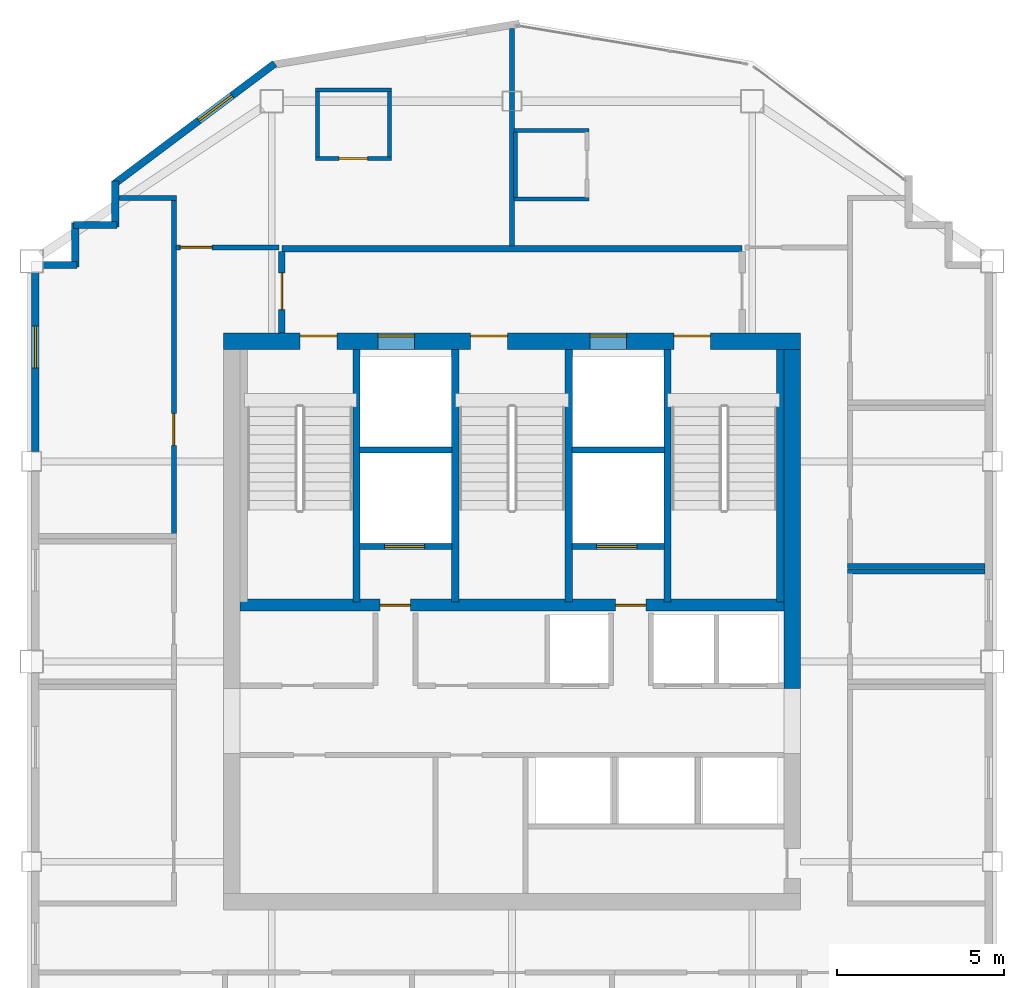
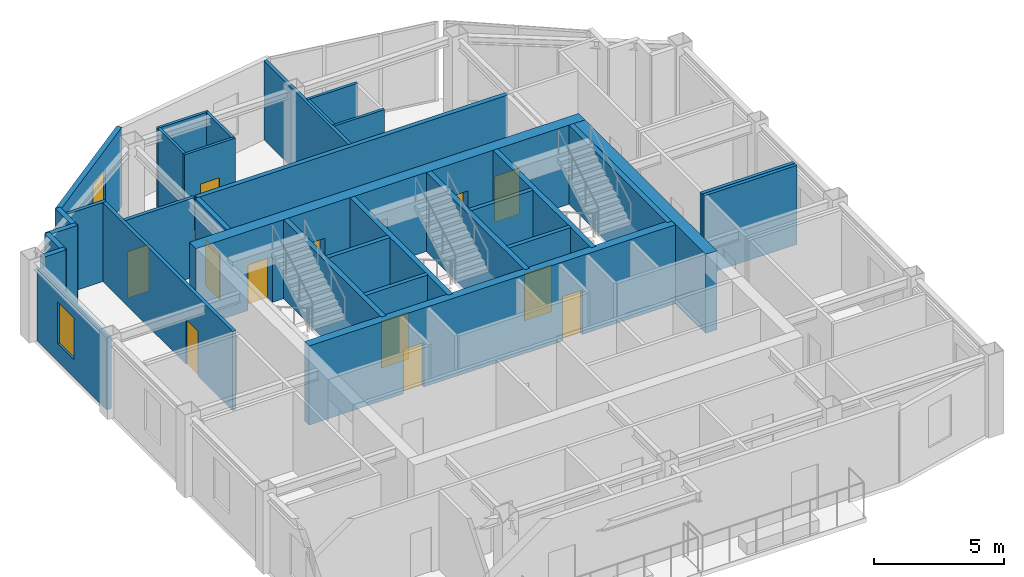
# One storey, part 6 of 8: 33 walls, 13 doors, 2 windows, 15 openings.
"""IFC4 building model written with IfcOpenShell, lengths in metres."""

import ifcopenshell
import ifcopenshell.guid

model = None  # the IFC model being written
_history = None  # IfcOwnerHistory: only IFC2X3 demands one
_inside = {}  # id of a spatial element -> (the spatial element, [elements in it])
_under = {}  # id of a project, library or spatial element -> (it, [spatial elements below it])
_declared = {}  # id of a project -> (the project, [libraries it declares])
_typed = {}  # id of a type object -> (the type object, [elements of that type])
_made_of = {}  # id of a material, layer set ... -> (it, [elements and type objects made of it])


def new_model(schema):
    """Start an empty IFC model of exactly this schema.

    Asked for "IFC4X3", IfcOpenShell would pick the latest addendum, in which some entities
    have other attributes; the version numbers below select the first issue.
    IFC2X3 requires an IfcOwnerHistory on every rooted entity: one is made here for all.
    """
    global model, _history
    if schema == "IFC4X3":
        model = ifcopenshell.file(schema_version=(4, 3, 0, 0))
    else:
        model = ifcopenshell.file(schema=schema)
    _inside.clear()
    _under.clear()
    _declared.clear()
    _typed.clear()
    _made_of.clear()
    _history = None
    if model.schema == "IFC2X3":
        org = make("IfcOrganization", Name="unknown")
        user = make(
            "IfcPersonAndOrganization",
            ThePerson=make("IfcPerson", FamilyName="unknown"),
            TheOrganization=org,
        )
        app = make(
            "IfcApplication",
            ApplicationDeveloper=org,
            Version="unknown",
            ApplicationFullName="unknown",
            ApplicationIdentifier="unknown",
        )
        _history = make(
            "IfcOwnerHistory",
            OwningUser=user,
            OwningApplication=app,
            ChangeAction="ADDED",
            CreationDate=0,
        )
    return model


def make(cls, **values):
    """One entity of the class cls with the attributes given. An attribute that is None is left unset."""
    return model.create_entity(
        cls, **{name: value for name, value in values.items() if value is not None}
    )


def rooted(cls, **values):
    """An entity with a GlobalId (a new one), such as an element, a storey or a relation."""
    return make(cls, GlobalId=ifcopenshell.guid.new(), OwnerHistory=_history, **values)


def si_unit(unit_type, name, prefix=None):
    """IfcSIUnit, for example si_unit("LENGTHUNIT", "METRE", prefix="MILLI")."""
    return make("IfcSIUnit", UnitType=unit_type, Prefix=prefix, Name=name)


def assignment(units):
    """IfcUnitAssignment: the units of a project."""
    return None if units is None else make("IfcUnitAssignment", Units=units)


def point(xyz):
    """IfcCartesianPoint."""
    return None if xyz is None else make("IfcCartesianPoint", Coordinates=xyz)


def direction(xyz):
    """IfcDirection."""
    return None if xyz is None else make("IfcDirection", DirectionRatios=xyz)


def frame(location, z_axis=None, x_axis=None):
    """IfcAxis2Placement3D, a coordinate frame: its origin and axes. An axis left out is left unset."""
    return make(
        "IfcAxis2Placement3D",
        Location=point(location),
        Axis=direction(z_axis),
        RefDirection=direction(x_axis),
    )


def frame_2d(location, x_axis=None):
    """IfcAxis2Placement2D, a coordinate frame in the plane: its origin and x axis."""
    return make(
        "IfcAxis2Placement2D", Location=point(location), RefDirection=direction(x_axis)
    )


def origin():
    """The frame at (0, 0, 0) with its axes left unset."""
    return frame((0.0, 0.0, 0.0))


def place(relative_to, where):
    """IfcLocalPlacement: puts the frame where relative to a parent placement (None: the world)."""
    return make(
        "IfcLocalPlacement", PlacementRelTo=relative_to, RelativePlacement=where
    )


def context(
    kind, dimensions, precision=None, world=None, true_north=None, identifier=None
):
    """IfcGeometricRepresentationContext, for example the 3D "Model" context."""
    return make(
        "IfcGeometricRepresentationContext",
        ContextIdentifier=identifier,
        ContextType=kind,
        CoordinateSpaceDimension=dimensions,
        Precision=precision,
        WorldCoordinateSystem=world,
        TrueNorth=true_north,
    )


def subcontext(parent, identifier, kind, view, scale=None):
    """IfcGeometricRepresentationSubContext, for example "Body" below "Model"."""
    return make(
        "IfcGeometricRepresentationSubContext",
        ContextIdentifier=identifier,
        ContextType=kind,
        ParentContext=parent,
        TargetScale=scale,
        TargetView=view,
    )


def project(units=None, contexts=None):
    """IfcProject with its units and contexts."""
    return rooted(
        "IfcProject",
        Name="project",
        RepresentationContexts=contexts,
        UnitsInContext=assignment(units),
    )


def spatial(cls, under=None, at=None, **own):
    """A site, building, storey or space (cls), placed at a placement, below another one or the project."""
    s = rooted(cls, ObjectPlacement=at, **own)
    if under is not None:
        _under.setdefault(under.id(), (under, []))[1].append(s)
    return s


def profile(cls, at=None, kind="AREA", **sizes):
    """A parametric profile (cls). Its sizes go by their IFC names, for example OverallWidth=200.0."""
    return make(cls, ProfileType=kind, Position=at, **sizes)


def rectangle(**sizes):
    """IfcRectangleProfileDef."""
    return profile("IfcRectangleProfileDef", **sizes)


def extrude(swept, where, along, depth):
    """IfcExtrudedAreaSolid: the profile swept, set in the frame where, extruded along a direction by depth."""
    return make(
        "IfcExtrudedAreaSolid",
        SweptArea=swept,
        Position=where,
        ExtrudedDirection=direction(along),
        Depth=depth,
    )


def shape(context_of_items, identifier, shape_type, items):
    """IfcShapeRepresentation: the items that make up one representation, for example the "Body"."""
    return make(
        "IfcShapeRepresentation",
        ContextOfItems=context_of_items,
        RepresentationIdentifier=identifier,
        RepresentationType=shape_type,
        Items=items,
    )


def material(Name=None, Category=None):
    """IfcMaterial."""
    return make("IfcMaterial", Name=Name, Category=Category)


def layer(
    of_material, thickness, ventilated=None, Name=None, Category=None, Priority=None
):
    """IfcMaterialLayer: one layer of a wall or slab, of a material (None: an air gap)."""
    return make(
        "IfcMaterialLayer",
        Material=of_material,
        LayerThickness=thickness,
        IsVentilated=ventilated,
        Name=Name,
        Category=Category,
        Priority=Priority,
    )


def layer_set(layers, Name=None):
    """IfcMaterialLayerSet."""
    return make("IfcMaterialLayerSet", MaterialLayers=layers, LayerSetName=Name)


def made_of(thing, what):
    """Note that an element or type object is made of a material, layer set ...; save() writes the relation."""
    if what is not None:
        _made_of.setdefault(what.id(), (what, []))[1].append(thing)
    return thing


def type_object(cls, material=None, **own):
    """A type object (cls), such as IfcWallType, which elements share."""
    return made_of(rooted(cls, **own), material)


def element(
    cls,
    number,
    at=None,
    inside=None,
    cuts=None,
    type_object=None,
    material=None,
    context=None,
    identifier="Body",
    shape_type=None,
    held_by="IfcProductDefinitionShape",
    body=None,
    shapes=None,
    **own,
):
    """One element of the class cls, such as IfcWall. Its Tag is "e" and its number.

    at: its placement. inside: the storey or other place that contains it. cuts: it is an
    opening in that element (IfcRelVoidsElement). A single representation is given by context,
    identifier, shape_type and body (its items); several are given by shapes. held_by: the class
    of the entity that holds the representations. save() writes the other relations.
    """
    e = rooted(cls, Tag="e%d" % number, ObjectPlacement=at, **own)
    if body is not None:
        shapes = [shape(context, identifier, shape_type, body)]
    if shapes is not None:
        e.Representation = make(held_by, Representations=shapes)
    if inside is not None:
        _inside.setdefault(inside.id(), (inside, []))[1].append(e)
    if cuts is not None:
        rooted(
            "IfcRelVoidsElement", RelatingBuildingElement=cuts, RelatedOpeningElement=e
        )
    if type_object is not None:
        _typed.setdefault(type_object.id(), (type_object, []))[1].append(e)
    return made_of(e, material)


def fill(opening, filler):
    """IfcRelFillsElement: the door or window that sits in an opening."""
    return rooted(
        "IfcRelFillsElement",
        RelatingOpeningElement=opening,
        RelatedBuildingElement=filler,
    )


def aggregate(whole, parts):
    """IfcRelAggregates: a whole, such as a stair, and the parts it consists of."""
    return rooted("IfcRelAggregates", RelatingObject=whole, RelatedObjects=parts)


def save(model, path):
    """Write the relations noted so far, then the file.

    IfcRelAggregates (storeys below a building ...), IfcRelContainedInSpatialStructure (elements
    in a storey), IfcRelDefinesByType, IfcRelAssociatesMaterial and IfcRelDeclares: one each for
    every whole, place, type object, material and project.
    """
    for whole, parts in _under.values():
        aggregate(whole, parts)
    for where, things in _inside.values():
        rooted(
            "IfcRelContainedInSpatialStructure",
            RelatedElements=things,
            RelatingStructure=where,
        )
    for kind, things in _typed.values():
        rooted("IfcRelDefinesByType", RelatedObjects=things, RelatingType=kind)
    for what, things in _made_of.values():
        rooted("IfcRelAssociatesMaterial", RelatedObjects=things, RelatingMaterial=what)
    for by, libraries in _declared.values():
        rooted("IfcRelDeclares", RelatingContext=by, RelatedDefinitions=libraries)
    model.write(path)


model = new_model("IFC4")

# Units and contexts
model_context = context("Model", 3, precision=1e-05, world=origin(), true_north=direction((0.0, 1.0)))
body_context = subcontext(model_context, "Body", "Model", "MODEL_VIEW")
ifc_project = project(units=[si_unit("LENGTHUNIT", "METRE"), si_unit("AREAUNIT", "SQUARE_METRE"), si_unit("VOLUMEUNIT", "CUBIC_METRE"), si_unit("PLANEANGLEUNIT", "RADIAN"), si_unit("MASSUNIT", "GRAM", prefix="KILO")], contexts=[model_context])

# Site, building, storey
site_placement = place(None, origin())
site = spatial("IfcSite", under=ifc_project, at=site_placement, CompositionType="ELEMENT")
building_placement = place(site_placement, origin())
building = spatial("IfcBuilding", under=site, at=building_placement, Name="Haolan Belvedere Tower", CompositionType="ELEMENT")
storey_placement = place(building_placement, frame((0.0, 0.0, 297.800048828125)))
storey = spatial("IfcBuildingStorey", under=building, at=storey_placement, Name="L75", CompositionType="ELEMENT", Elevation=297.800048828125)

# Wall, openings, doors
ifc_material_1 = material(Name="Concrete C50/60", Category="concrete")
ifc_layer_1 = layer(ifc_material_1, 0.5, Name="Concrete C50/60")
ifc_layer_set_1 = layer_set([ifc_layer_1], Name="Concrete C50/60")
wall_type_1 = type_object("IfcWallType", Name="WL-CORE-500", PredefinedType="SHEAR", material=ifc_layer_set_1)
wall_1_placement = place(storey_placement, frame((29.75, 43.199951171875, 0.0), z_axis=(0.0, 0.0, 1.0), x_axis=(1.0, 0.0, 0.0)))
wall_1 = element("IfcWall", 1, at=wall_1_placement, inside=storey, type_object=wall_type_1, Name="L75 central core north shear wall", PredefinedType="SHEAR", context=body_context, shape_type="SweptSolid", body=[
    extrude(rectangle(XDim=17.300048828125, YDim=0.5, at=frame_2d((8.64990234375, 0.0))), origin(), (0.0, 0.0, 1.0), 3.719970703125),
])
opening_1_placement = place(wall_1_placement, frame((2.300048828125, 0.0, 0.0)))
opening_1 = element("IfcOpeningElement", 2, at=opening_1_placement, cuts=wall_1, Name="Opening FD-03", PredefinedType="OPENING", context=body_context, shape_type="SweptSolid", body=[
    extrude(rectangle(XDim=1.10009765625, YDim=2.14990234375, at=frame_2d((0.550048828125, 1.074951171875))), frame((0.0, 0.260009765625, 0.0), z_axis=(0.0, -1.0, 0.0), x_axis=(1.0, 0.0, 0.0)), (0.0, 0.0, 1.0), 0.52001953125),
])
opening_2_placement = place(wall_1_placement, frame((7.409912109375, 0.0, 0.0)))
opening_2 = element("IfcOpeningElement", 3, at=opening_2_placement, cuts=wall_1, Name="Opening FD-03", PredefinedType="OPENING", context=body_context, shape_type="SweptSolid", body=[
    extrude(rectangle(XDim=1.10009765625, YDim=2.14990234375, at=frame_2d((0.550048828125, 1.074951171875))), frame((0.0, 0.260009765625, 0.0), z_axis=(0.0, -1.0, 0.0), x_axis=(1.0, 0.0, 0.0)), (0.0, 0.0, 1.0), 0.52001953125),
])
opening_3_placement = place(wall_1_placement, frame((13.5, 0.0, 0.0)))
opening_3 = element("IfcOpeningElement", 4, at=opening_3_placement, cuts=wall_1, Name="Opening FD-03", PredefinedType="OPENING", context=body_context, shape_type="SweptSolid", body=[
    extrude(rectangle(XDim=1.10009765625, YDim=2.14990234375, at=frame_2d((0.550048828125, 1.074951171875))), frame((0.0, 0.260009765625, 0.0), z_axis=(0.0, -1.0, 0.0), x_axis=(1.0, 0.0, 0.0)), (0.0, 0.0, 1.0), 0.52001953125),
])
opening_4_placement = place(wall_1_placement, frame((4.6298828125, 0.0, 0.0)))
opening_4 = element("IfcOpeningElement", 5, at=opening_4_placement, cuts=wall_1, Name="Opening LD-01", PredefinedType="OPENING", context=body_context, shape_type="SweptSolid", body=[
    extrude(rectangle(XDim=1.10009765625, YDim=2.199951171875, at=frame_2d((0.550048828125, 1.10009765625))), frame((0.0, 0.260009765625, 0.0), z_axis=(0.0, -1.0, 0.0), x_axis=(1.0, 0.0, 0.0)), (0.0, 0.0, 1.0), 0.52001953125),
])
opening_5_placement = place(wall_1_placement, frame((10.989990234375, 0.0, 0.0)))
opening_5 = element("IfcOpeningElement", 6, at=opening_5_placement, cuts=wall_1, Name="Opening LD-01", PredefinedType="OPENING", context=body_context, shape_type="SweptSolid", body=[
    extrude(rectangle(XDim=1.10009765625, YDim=2.199951171875, at=frame_2d((0.550048828125, 1.10009765625))), frame((0.0, 0.260009765625, 0.0), z_axis=(0.0, -1.0, 0.0), x_axis=(1.0, 0.0, 0.0)), (0.0, 0.0, 1.0), 0.52001953125),
])
ifc_material_2 = material(Name="Galvanised fire-rated steel", Category="steel")
door_type_1 = type_object("IfcDoorType", Name="DR-FD90-1100", OperationType="NOTDEFINED", PredefinedType="DOOR", material=ifc_material_2)
door_1_placement = place(opening_1_placement, origin())
door_1 = element("IfcDoor", 7, at=door_1_placement, inside=storey, type_object=door_type_1, Name="L75 door CD-L75-ST1", OperationType="SINGLE_SWING_LEFT", OverallHeight=2.14990234375, OverallWidth=1.10009765625, PredefinedType="DOOR", context=body_context, shape_type="SweptSolid", body=[
    extrude(rectangle(XDim=1.10009765625, YDim=2.14990234375, at=frame_2d((0.550048828125, 1.074951171875))), frame((0.0, 0.18505859375, 0.0), z_axis=(0.0, -1.0, 0.0), x_axis=(1.0, 0.0, 0.0)), (0.0, 0.0, 1.0), 0.050048828125),
])
fill(opening_1, door_1)
door_2_placement = place(opening_2_placement, origin())
door_2 = element("IfcDoor", 8, at=door_2_placement, inside=storey, type_object=door_type_1, Name="L75 door CD-L75-ST3", OperationType="SINGLE_SWING_LEFT", OverallHeight=2.14990234375, OverallWidth=1.10009765625, PredefinedType="DOOR", context=body_context, shape_type="SweptSolid", body=[
    extrude(rectangle(XDim=1.10009765625, YDim=2.14990234375, at=frame_2d((0.550048828125, 1.074951171875))), frame((0.0, 0.18505859375, 0.0), z_axis=(0.0, -1.0, 0.0), x_axis=(1.0, 0.0, 0.0)), (0.0, 0.0, 1.0), 0.050048828125),
])
fill(opening_2, door_2)
door_3_placement = place(opening_3_placement, origin())
door_3 = element("IfcDoor", 9, at=door_3_placement, inside=storey, type_object=door_type_1, Name="L75 door CD-L75-ST2", OperationType="SINGLE_SWING_RIGHT", OverallHeight=2.14990234375, OverallWidth=1.10009765625, PredefinedType="DOOR", context=body_context, shape_type="SweptSolid", body=[
    extrude(rectangle(XDim=1.10009765625, YDim=2.14990234375, at=frame_2d((0.550048828125, 1.074951171875))), frame((0.0, 0.18505859375, 0.0), z_axis=(0.0, -1.0, 0.0), x_axis=(1.0, 0.0, 0.0)), (0.0, 0.0, 1.0), 0.050048828125),
])
fill(opening_3, door_3)
ifc_material_3 = material(Name="Brushed champagne stainless steel 316L", Category="steel")
door_type_2 = type_object("IfcDoorType", Name="DR-LIFT-1100", OperationType="SLIDING_TO_LEFT", PredefinedType="DOOR", material=ifc_material_3)
door_4_placement = place(opening_4_placement, origin())
door_4 = element("IfcDoor", 10, at=door_4_placement, inside=storey, type_object=door_type_2, Name="L75 door LD-L75-FF1", OperationType="SLIDING_TO_LEFT", OverallHeight=2.199951171875, OverallWidth=1.10009765625, PredefinedType="DOOR", context=body_context, shape_type="SweptSolid", body=[
    extrude(rectangle(XDim=1.10009765625, YDim=2.199951171875, at=frame_2d((0.550048828125, 1.10009765625))), frame((0.0, 0.18505859375, 0.0), z_axis=(0.0, -1.0, 0.0), x_axis=(1.0, 0.0, 0.0)), (0.0, 0.0, 1.0), 0.050048828125),
])
fill(opening_4, door_4)
door_5_placement = place(opening_5_placement, origin())
door_5 = element("IfcDoor", 11, at=door_5_placement, inside=storey, type_object=door_type_2, Name="L75 door LD-L75-FF2", OperationType="SLIDING_TO_LEFT", OverallHeight=2.199951171875, OverallWidth=1.10009765625, PredefinedType="DOOR", context=body_context, shape_type="SweptSolid", body=[
    extrude(rectangle(XDim=1.10009765625, YDim=2.199951171875, at=frame_2d((0.550048828125, 1.10009765625))), frame((0.0, 0.18505859375, 0.0), z_axis=(0.0, -1.0, 0.0), x_axis=(1.0, 0.0, 0.0)), (0.0, 0.0, 1.0), 0.050048828125),
])
fill(opening_5, door_5)

# Wall
wall_2_placement = place(storey_placement, frame((46.800048828125, 32.800048828125, 0.0), z_axis=(0.0, 0.0, 1.0), x_axis=(0.0, 1.0, 0.0)))
element("IfcWall", 12, at=wall_2_placement, inside=storey, type_object=wall_type_1, Name="L75 central core shear wall EN", PredefinedType="SHEAR", context=body_context, shape_type="SweptSolid", body=[
    extrude(rectangle(XDim=10.14990234375, YDim=0.5, at=frame_2d((5.074951171875, 0.0))), origin(), (0.0, 0.0, 1.0), 3.719970703125),
])

# Wall, opening, window
ifc_material_4 = material(Name="Precast concrete C40/50", Category="concrete")
ifc_layer_2 = layer(ifc_material_4, 0.219970703125, Name="Precast concrete C40/50")
ifc_layer_set_2 = layer_set([ifc_layer_2], Name="Precast concrete C40/50")
wall_type_2 = type_object("IfcWallType", Name="WL-EXT-220", PredefinedType="SOLIDWALL", material=ifc_layer_set_2)
wall_3_placement = place(storey_placement, frame((31.28857421875, 51.52880859375, 0.0), z_axis=(0.0, 0.0, 1.0), x_axis=(-0.800014580093, -0.599980559383, 0.0)))
wall_3 = element("IfcWall", 13, at=wall_3_placement, inside=storey, type_object=wall_type_2, Name="L75 pale-metal exterior spandrel wall 11.1", PredefinedType="SOLIDWALL", context=body_context, shape_type="SweptSolid", body=[
    extrude(rectangle(XDim=6.028076171875, YDim=0.219970703125, at=frame_2d((3.01416015625, 0.0))), origin(), (0.0, 0.0, 1.0), 3.719970703125),
])
opening_6_placement = place(wall_3_placement, frame((1.60009765625, 0.0, 0.85009765625)))
opening_6 = element("IfcOpeningElement", 14, at=opening_6_placement, cuts=wall_3, Name="Opening W-04", PredefinedType="OPENING", context=body_context, shape_type="SweptSolid", body=[
    extrude(rectangle(XDim=1.25, YDim=1.949951171875, at=frame_2d((0.625, 0.97509765625))), frame((0.0, 0.119873046875, 0.0), z_axis=(0.0, -1.0, 0.0), x_axis=(1.0, 0.0, 0.0)), (0.0, 0.0, 1.0), 0.239990234375),
])
ifc_material_5 = material(Name="Anodised aluminium 6063-T6 and Low-E glass", Category="aluminium")
window_type = type_object("IfcWindowType", Name="WN-DECO-Z4", PartitioningType="SINGLE_PANEL", PredefinedType="WINDOW", material=ifc_material_5)
window_1_placement = place(opening_6_placement, origin())
window_1 = element("IfcWindow", 15, at=window_1_placement, inside=storey, type_object=window_type, Name="L75 Art Deco chevron window 1", OverallHeight=1.949951171875, OverallWidth=1.25, PartitioningType="SINGLE_PANEL", PredefinedType="WINDOW", context=body_context, shape_type="SweptSolid", body=[
    extrude(rectangle(XDim=1.25, YDim=1.949951171875, at=frame_2d((0.625, 0.97509765625))), frame((0.0, 0.030029296875, 0.0), z_axis=(0.0, -1.0, 0.0), x_axis=(1.0, 0.0, 0.0)), (0.0, 0.0, 1.0), 0.06005859375),
])
fill(opening_6, window_1)

# Walls
wall_4_placement = place(storey_placement, frame((26.510009765625, 48.0, 0.0), z_axis=(0.0, 0.0, 1.0), x_axis=(0.0, -1.0, 0.0)))
element("IfcWall", 16, at=wall_4_placement, inside=storey, type_object=wall_type_2, Name="L75 pale-metal exterior spandrel wall 12.1", PredefinedType="SOLIDWALL", context=body_context, shape_type="SweptSolid", body=[
    extrude(rectangle(XDim=1.364990234375, YDim=0.219970703125, at=frame_2d((0.6826171875, 0.0))), origin(), (0.0, 0.0, 1.0), 3.719970703125),
])
for number, where, z_axis, x_axis, name in (
    (17, (26.56494140625, 46.68994140625, 0.0), (0.0, 0.0, 1.0), (-1.0, 0.0, 0.0), "L75 pale-metal exterior spandrel wall 13.1"),
    (18, (25.31005859375, 46.7451171875, 0.0), (0.0, 0.0, 1.0), (0.0, -1.0, 0.0), "L75 pale-metal exterior spandrel wall 14.1"),
):
    element("IfcWall", number, at=place(storey_placement, frame(where, z_axis=z_axis, x_axis=x_axis)), inside=storey, type_object=wall_type_2, Name=name, PredefinedType="SOLIDWALL", context=body_context, shape_type="SweptSolid", body=[
        extrude(rectangle(XDim=1.31005859375, YDim=0.219970703125, at=frame_2d((0.655029296875, 0.0))), origin(), (0.0, 0.0, 1.0), 3.719970703125),
    ])
wall_5_placement = place(storey_placement, frame((25.364990234375, 45.489990234375, 0.0), z_axis=(0.0, 0.0, 1.0), x_axis=(-1.0, 0.0, 0.0)))
element("IfcWall", 19, at=wall_5_placement, inside=storey, type_object=wall_type_2, Name="L75 pale-metal exterior spandrel wall 15.1", PredefinedType="SOLIDWALL", context=body_context, shape_type="SweptSolid", body=[
    extrude(rectangle(XDim=1.02294921875, YDim=0.219970703125, at=frame_2d((0.511474609375, 0.0))), origin(), (0.0, 0.0, 1.0), 3.719970703125),
])

# Wall, opening, window
wall_6_placement = place(storey_placement, frame((24.110107421875, 45.258056640625, 0.0), z_axis=(0.0, 0.0, 1.0), x_axis=(0.0, -1.0, 0.0)))
wall_6 = element("IfcWall", 20, at=wall_6_placement, inside=storey, type_object=wall_type_2, Name="L75 pale-metal exterior spandrel wall 16.1", PredefinedType="SOLIDWALL", context=body_context, shape_type="SweptSolid", body=[
    extrude(rectangle(XDim=5.365966796875, YDim=0.219970703125, at=frame_2d((2.68310546875, 0.0))), origin(), (0.0, 0.0, 1.0), 3.364990234375),
])
opening_7_placement = place(wall_6_placement, frame((1.60009765625, 0.0, 0.85009765625)))
opening_7 = element("IfcOpeningElement", 21, at=opening_7_placement, cuts=wall_6, Name="Opening W-04", PredefinedType="OPENING", context=body_context, shape_type="SweptSolid", body=[
    extrude(rectangle(XDim=1.25, YDim=1.949951171875, at=frame_2d((0.625, 0.97509765625))), frame((0.0, 0.119873046875, 0.0), z_axis=(0.0, -1.0, 0.0), x_axis=(1.0, 0.0, 0.0)), (0.0, 0.0, 1.0), 0.239990234375),
])
window_2_placement = place(opening_7_placement, origin())
window_2 = element("IfcWindow", 22, at=window_2_placement, inside=storey, type_object=window_type, Name="L75 Art Deco chevron window 1", OverallHeight=1.949951171875, OverallWidth=1.25, PartitioningType="SINGLE_PANEL", PredefinedType="WINDOW", context=body_context, shape_type="SweptSolid", body=[
    extrude(rectangle(XDim=1.25, YDim=1.949951171875, at=frame_2d((0.625, 0.97509765625))), frame((0.0, 0.030029296875, 0.0), z_axis=(0.0, -1.0, 0.0), x_axis=(1.0, 0.0, 0.0)), (0.0, 0.0, 1.0), 0.06005859375),
])
fill(opening_7, window_2)

# Wall
ifc_material_6 = material(Name="Concrete C40/50", Category="concrete")
ifc_layer_3 = layer(ifc_material_6, 0.199951171875, Name="Concrete C40/50")
ifc_layer_set_3 = layer_set([ifc_layer_3], Name="Concrete C40/50")
wall_type_3 = type_object("IfcWallType", Name="WL-FIRE-200", PredefinedType="SOLIDWALL", material=ifc_layer_set_3)
wall_7_placement = place(storey_placement, frame((31.5, 45.97998046875, 0.0), z_axis=(0.0, 0.0, 1.0), x_axis=(1.0, 0.0, 0.0)))
element("IfcWall", 23, at=wall_7_placement, inside=storey, type_object=wall_type_3, Name="L75 interior partition IW-L75-FFL-N", PredefinedType="SOLIDWALL", context=body_context, shape_type="SweptSolid", body=[
    extrude(rectangle(XDim=13.800048828125, YDim=0.199951171875, at=frame_2d((6.89990234375, 0.0))), origin(), (0.0, 0.0, 1.0), 3.719970703125),
])

# Wall, opening, door
wall_8_placement = place(storey_placement, frame((31.5, 43.449951171875, 0.0), z_axis=(0.0, 0.0, 1.0), x_axis=(0.0, 1.0, 0.0)))
wall_8 = element("IfcWall", 24, at=wall_8_placement, inside=storey, type_object=wall_type_3, Name="L75 interior partition IW-L75-FFL-W", PredefinedType="SOLIDWALL", context=body_context, shape_type="SweptSolid", body=[
    extrude(rectangle(XDim=2.445068359375, YDim=0.199951171875, at=frame_2d((1.22265625, 0.0))), origin(), (0.0, 0.0, 1.0), 3.719970703125),
])
opening_8_placement = place(wall_8_placement, frame((1.800048828125, 0.0, 0.0), z_axis=(0.0, 0.0, 1.0), x_axis=(-1.0, 0.0, 0.0)))
opening_8 = element("IfcOpeningElement", 25, at=opening_8_placement, cuts=wall_8, Name="Opening FD-03", PredefinedType="OPENING", context=body_context, shape_type="SweptSolid", body=[
    extrude(rectangle(XDim=1.10009765625, YDim=2.14990234375, at=frame_2d((0.550048828125, 1.074951171875))), frame((0.0, 0.10986328125, 0.0), z_axis=(0.0, -1.0, 0.0), x_axis=(1.0, 0.0, 0.0)), (0.0, 0.0, 1.0), 0.219970703125),
])
door_6_placement = place(opening_8_placement, origin())
door_6 = element("IfcDoor", 26, at=door_6_placement, inside=storey, type_object=door_type_1, Name="L75 door ID-L75-FFL-DW", OperationType="SINGLE_SWING_LEFT", OverallHeight=2.14990234375, OverallWidth=1.10009765625, PredefinedType="DOOR", context=body_context, shape_type="SweptSolid", body=[
    extrude(rectangle(XDim=1.10009765625, YDim=2.14990234375, at=frame_2d((0.550048828125, 1.074951171875))), frame((0.0, 0.02490234375, 0.0), z_axis=(0.0, -1.0, 0.0), x_axis=(1.0, 0.0, 0.0)), (0.0, 0.0, 1.0), 0.050048828125),
])
fill(opening_8, door_6)

# Wall
ifc_material_7 = material(Name="Double gypsum acoustic stud partition", Category="masonry")
ifc_layer_4 = layer(ifc_material_7, 0.14990234375, Name="Double gypsum acoustic stud partition")
ifc_layer_set_4 = layer_set([ifc_layer_4], Name="Double gypsum acoustic stud partition")
wall_type_4 = type_object("IfcWallType", Name="WL-PART-150", PredefinedType="PARTITIONING", material=ifc_layer_set_4)
wall_9_placement = place(storey_placement, frame((26.612060546875, 47.5, 0.0), z_axis=(0.0, 0.0, 1.0), x_axis=(1.0, 0.0, 0.0)))
element("IfcWall", 27, at=wall_9_placement, inside=storey, type_object=wall_type_4, Name="L75 interior partition IW-L75-MTG-N", PredefinedType="PARTITIONING", context=body_context, shape_type="SweptSolid", body=[
    extrude(rectangle(XDim=1.72802734375, YDim=0.14990234375, at=frame_2d((0.864013671875, 0.0))), origin(), (0.0, 0.0, 1.0), 3.719970703125),
])

# Wall, opening, door
wall_10_placement = place(storey_placement, frame((28.260009765625, 37.419921875, 0.0), z_axis=(0.0, 0.0, 1.0), x_axis=(0.0, 1.0, 0.0)))
wall_10 = element("IfcWall", 28, at=wall_10_placement, inside=storey, type_object=wall_type_4, Name="L75 interior partition IW-L75-MTG-E", PredefinedType="PARTITIONING", context=body_context, shape_type="SweptSolid", body=[
    extrude(rectangle(XDim=10.02001953125, YDim=0.14990234375, at=frame_2d((5.010009765625, 0.0))), origin(), (0.0, 0.0, 1.0), 3.719970703125),
])
opening_9_placement = place(wall_10_placement, frame((3.60986328125, 0.0, 0.0), z_axis=(0.0, 0.0, 1.0), x_axis=(-1.0, 0.0, 0.0)))
opening_9 = element("IfcOpeningElement", 29, at=opening_9_placement, cuts=wall_10, Name="Opening ID-03", PredefinedType="OPENING", context=body_context, shape_type="SweptSolid", body=[
    extrude(rectangle(XDim=0.949951171875, YDim=2.1201171875, at=frame_2d((0.47509765625, 1.06005859375))), frame((0.0, 0.0849609375, 0.0), z_axis=(0.0, -1.0, 0.0), x_axis=(1.0, 0.0, 0.0)), (0.0, 0.0, 1.0), 0.169921875),
])
ifc_material_8 = material(Name="Painted solid-core timber", Category="wood")
door_type_3 = type_object("IfcDoorType", Name="DR-INT-950", OperationType="NOTDEFINED", PredefinedType="DOOR", material=ifc_material_8)
door_7_placement = place(opening_9_placement, origin())
door_7 = element("IfcDoor", 30, at=door_7_placement, inside=storey, type_object=door_type_3, Name="L75 door ID-L75-MTG", OperationType="SINGLE_SWING_RIGHT", OverallHeight=2.1201171875, OverallWidth=0.949951171875, PredefinedType="DOOR", context=body_context, shape_type="SweptSolid", body=[
    extrude(rectangle(XDim=0.949951171875, YDim=2.1201171875, at=frame_2d((0.47509765625, 1.06005859375))), frame((0.0, 0.02490234375, 0.0), z_axis=(0.0, -1.0, 0.0), x_axis=(1.0, 0.0, 0.0)), (0.0, 0.0, 1.0), 0.050048828125),
])
fill(opening_9, door_7)

# Walls
for number, where, z_axis, x_axis, name in (
    (31, (48.4599609375, 36.300048828125, 0.0), (0.0, 0.0, 1.0), (1.0, 0.0, 0.0), "L75 interior partition IW-L75-AWC-N"),
    (32, (48.4599609375, 36.4599609375, 0.0), (0.0, 0.0, 1.0), (1.0, 0.0, 0.0), "L75 interior partition IW-L75-STY-S"),
):
    element("IfcWall", number, at=place(storey_placement, frame(where, z_axis=z_axis, x_axis=x_axis)), inside=storey, type_object=wall_type_4, Name=name, PredefinedType="PARTITIONING", context=body_context, shape_type="SweptSolid", body=[
        extrude(rectangle(XDim=4.1279296875, YDim=0.14990234375, at=frame_2d((2.06396484375, 0.0))), origin(), (0.0, 0.0, 1.0), 3.719970703125),
    ])

# Wall, opening, door
wall_11_placement = place(storey_placement, frame((28.320068359375, 46.02001953125, 0.0), z_axis=(0.0, 0.0, 1.0), x_axis=(1.0, 0.0, 0.0)))
wall_11 = element("IfcWall", 33, at=wall_11_placement, inside=storey, type_object=wall_type_4, Name="L75 interior partition IW-L75-KN1-S", PredefinedType="PARTITIONING", context=body_context, shape_type="SweptSolid", body=[
    extrude(rectangle(XDim=3.094970703125, YDim=0.14990234375, at=frame_2d((1.54736328125, 0.0))), origin(), (0.0, 0.0, 1.0), 3.719970703125),
])
opening_10_placement = place(wall_11_placement, frame((0.139892578125, 0.0, 0.0)))
opening_10 = element("IfcOpeningElement", 34, at=opening_10_placement, cuts=wall_11, Name="Opening ID-01", PredefinedType="OPENING", context=body_context, shape_type="SweptSolid", body=[
    extrude(rectangle(XDim=0.949951171875, YDim=2.179931640625, at=frame_2d((0.47509765625, 1.08984375))), frame((0.0, 0.0849609375, 0.0), z_axis=(0.0, -1.0, 0.0), x_axis=(1.0, 0.0, 0.0)), (0.0, 0.0, 1.0), 0.169921875),
])
ifc_material_9 = material(Name="Acoustic walnut veneer fire-rated timber", Category="wood")
door_type_4 = type_object("IfcDoorType", Name="DR-SUITE-950", OperationType="NOTDEFINED", PredefinedType="DOOR", material=ifc_material_9)
door_8_placement = place(opening_10_placement, origin())
door_8 = element("IfcDoor", 35, at=door_8_placement, inside=storey, type_object=door_type_4, Name="L75 door ID-L75-KN1-ENT", OperationType="SINGLE_SWING_RIGHT", OverallHeight=2.179931640625, OverallWidth=0.949951171875, PredefinedType="DOOR", context=body_context, shape_type="SweptSolid", body=[
    extrude(rectangle(XDim=0.949951171875, YDim=2.179931640625, at=frame_2d((0.47509765625, 1.08984375))), frame((0.0, 0.02490234375, 0.0), z_axis=(0.0, -1.0, 0.0), x_axis=(1.0, 0.0, 0.0)), (0.0, 0.0, 1.0), 0.050048828125),
])
fill(opening_10, door_8)

# Walls
wall_12_placement = place(storey_placement, frame((38.39990234375, 46.06494140625, 0.0), z_axis=(0.0, 0.0, 1.0), x_axis=(0.0, 1.0, 0.0)))
element("IfcWall", 36, at=wall_12_placement, inside=storey, type_object=wall_type_4, Name="L75 interior partition IW-L75-KN1-E", PredefinedType="PARTITIONING", context=body_context, shape_type="SweptSolid", body=[
    extrude(rectangle(XDim=6.520263671875, YDim=0.14990234375, at=frame_2d((3.26025390625, 0.0))), origin(), (0.0, 0.0, 1.0), 3.719970703125),
])
ifc_layer_5 = layer(ifc_material_4, 0.179931640625, Name="Precast concrete C40/50")
ifc_layer_set_5 = layer_set([ifc_layer_5], Name="Precast concrete C40/50")
wall_type_5 = type_object("IfcWallType", Name="WL-SHAFT-180", PredefinedType="SOLIDWALL", material=ifc_layer_set_5)
for number, where, z_axis, x_axis, name in (
    (37, (33.8349609375, 39.949951171875, 0.0), (0.0, 0.0, 1.0), (1.0, 0.0, 0.0), "L75 interior partition IW-L75-FF1-S"),
    (38, (40.195068359375, 39.949951171875, 0.0), (0.0, 0.0, 1.0), (1.0, 0.0, 0.0), "L75 interior partition IW-L75-FF2-S"),
):
    element("IfcWall", number, at=place(storey_placement, frame(where, z_axis=z_axis, x_axis=x_axis)), inside=storey, type_object=wall_type_5, Name=name, PredefinedType="SOLIDWALL", context=body_context, shape_type="SweptSolid", body=[
        extrude(rectangle(XDim=2.77001953125, YDim=0.179931640625, at=frame_2d((1.385009765625, 0.0))), origin(), (0.0, 0.0, 1.0), 3.719970703125),
    ])

# Wall, opening, door
wall_13_placement = place(storey_placement, frame((33.8349609375, 37.050048828125, 0.0), z_axis=(0.0, 0.0, 1.0), x_axis=(1.0, 0.0, 0.0)))
wall_13 = element("IfcWall", 39, at=wall_13_placement, inside=storey, type_object=wall_type_5, Name="L75 interior partition IW-L75-SV1-S", PredefinedType="SOLIDWALL", context=body_context, shape_type="SweptSolid", body=[
    extrude(rectangle(XDim=2.77001953125, YDim=0.179931640625, at=frame_2d((1.385009765625, 0.0))), origin(), (0.0, 0.0, 1.0), 3.719970703125),
])
opening_11_placement = place(wall_13_placement, frame((1.945068359375, 0.0, 0.0), z_axis=(0.0, 0.0, 1.0), x_axis=(-1.0, 0.0, 0.0)))
opening_11 = element("IfcOpeningElement", 40, at=opening_11_placement, cuts=wall_13, Name="Opening LD-02", PredefinedType="OPENING", context=body_context, shape_type="SweptSolid", body=[
    extrude(rectangle(XDim=1.199951171875, YDim=2.199951171875, at=frame_2d((0.60009765625, 1.10009765625))), frame((0.0, 0.099853515625, 0.0), z_axis=(0.0, -1.0, 0.0), x_axis=(1.0, 0.0, 0.0)), (0.0, 0.0, 1.0), 0.199951171875),
])
door_type_5 = type_object("IfcDoorType", Name="DR-LIFT-1200", OperationType="SLIDING_TO_RIGHT", PredefinedType="DOOR", material=ifc_material_3)
door_9_placement = place(opening_11_placement, origin())
door_9 = element("IfcDoor", 41, at=door_9_placement, inside=storey, type_object=door_type_5, Name="L75 door ID-L75-LD-SV1", OperationType="SLIDING_TO_RIGHT", OverallHeight=2.199951171875, OverallWidth=1.199951171875, PredefinedType="DOOR", context=body_context, shape_type="SweptSolid", body=[
    extrude(rectangle(XDim=1.199951171875, YDim=2.199951171875, at=frame_2d((0.60009765625, 1.10009765625))), frame((0.0, 0.02490234375, 0.0), z_axis=(0.0, -1.0, 0.0), x_axis=(1.0, 0.0, 0.0)), (0.0, 0.0, 1.0), 0.050048828125),
])
fill(opening_11, door_9)

wall_14_placement = place(storey_placement, frame((40.195068359375, 37.050048828125, 0.0), z_axis=(0.0, 0.0, 1.0), x_axis=(1.0, 0.0, 0.0)))
wall_14 = element("IfcWall", 42, at=wall_14_placement, inside=storey, type_object=wall_type_5, Name="L75 interior partition IW-L75-SV2-S", PredefinedType="SOLIDWALL", context=body_context, shape_type="SweptSolid", body=[
    extrude(rectangle(XDim=2.77001953125, YDim=0.179931640625, at=frame_2d((1.385009765625, 0.0))), origin(), (0.0, 0.0, 1.0), 3.719970703125),
])
opening_12_placement = place(wall_14_placement, frame((1.945068359375, 0.0, 0.0), z_axis=(0.0, 0.0, 1.0), x_axis=(-1.0, 0.0, 0.0)))
opening_12 = element("IfcOpeningElement", 43, at=opening_12_placement, cuts=wall_14, Name="Opening LD-02", PredefinedType="OPENING", context=body_context, shape_type="SweptSolid", body=[
    extrude(rectangle(XDim=1.199951171875, YDim=2.199951171875, at=frame_2d((0.60009765625, 1.10009765625))), frame((0.0, 0.099853515625, 0.0), z_axis=(0.0, -1.0, 0.0), x_axis=(1.0, 0.0, 0.0)), (0.0, 0.0, 1.0), 0.199951171875),
])
door_10_placement = place(opening_12_placement, origin())
door_10 = element("IfcDoor", 44, at=door_10_placement, inside=storey, type_object=door_type_5, Name="L75 door ID-L75-LD-SV2", OperationType="SLIDING_TO_RIGHT", OverallHeight=2.199951171875, OverallWidth=1.199951171875, PredefinedType="DOOR", context=body_context, shape_type="SweptSolid", body=[
    extrude(rectangle(XDim=1.199951171875, YDim=2.199951171875, at=frame_2d((0.60009765625, 1.10009765625))), frame((0.0, 0.02490234375, 0.0), z_axis=(0.0, -1.0, 0.0), x_axis=(1.0, 0.0, 0.0)), (0.0, 0.0, 1.0), 0.050048828125),
])
fill(opening_12, door_10)

# Walls
ifc_layer_6 = layer(ifc_material_1, 0.219970703125, Name="Concrete C50/60")
ifc_layer_set_6 = layer_set([ifc_layer_6], Name="Concrete C50/60")
wall_type_6 = type_object("IfcWallType", Name="WL-STAIR-220", PredefinedType="SHEAR", material=ifc_layer_set_6)
for number, where, z_axis, x_axis, name in (
    (45, (33.739990234375, 35.389892578125, 0.0), (0.0, 0.0, 1.0), (0.0, 1.0, 0.0), "L75 structural stair core wall ST1E"),
    (46, (36.699951171875, 35.389892578125, 0.0), (0.0, 0.0, 1.0), (0.0, 1.0, 0.0), "L75 structural stair core wall ST3W"),
    (47, (40.10009765625, 35.389892578125, 0.0), (0.0, 0.0, 1.0), (0.0, 1.0, 0.0), "L75 structural stair core wall ST3E"),
    (48, (43.06005859375, 35.389892578125, 0.0), (0.0, 0.0, 1.0), (0.0, 1.0, 0.0), "L75 structural stair core wall ST2W"),
    (49, (46.43798828125, 35.389892578125, 0.0), (0.0, 0.0, 1.0), (0.0, 1.0, 0.0), "L75 structural stair core wall ST2E"),
):
    element("IfcWall", number, at=place(storey_placement, frame(where, z_axis=z_axis, x_axis=x_axis)), inside=storey, type_object=wall_type_6, Name=name, PredefinedType="SHEAR", context=body_context, shape_type="SweptSolid", body=[
        extrude(rectangle(XDim=7.56005859375, YDim=0.219970703125, at=frame_2d((3.780029296875, 0.0))), origin(), (0.0, 0.0, 1.0), 3.719970703125),
    ])

# Wall, openings, doors
ifc_material_10 = material(Name="Concrete C60/75", Category="concrete")
ifc_layer_7 = layer(ifc_material_10, 0.360107421875, Name="Concrete C60/75")
ifc_layer_set_7 = layer_set([ifc_layer_7], Name="Concrete C60/75")
wall_type_7 = type_object("IfcWallType", Name="WL-WEB-350", PredefinedType="SHEAR", material=ifc_layer_set_7)
wall_15_placement = place(storey_placement, frame((30.25, 35.2900390625, 0.0), z_axis=(0.0, 0.0, 1.0), x_axis=(1.0, 0.0, 0.0)))
wall_15 = element("IfcWall", 50, at=wall_15_placement, inside=storey, type_object=wall_type_7, Name="L75 central core internal shear web", PredefinedType="SHEAR", context=body_context, shape_type="SweptSolid", body=[
    extrude(rectangle(XDim=16.300048828125, YDim=0.360107421875, at=frame_2d((8.14990234375, 0.0))), origin(), (0.0, 0.0, 1.0), 3.719970703125),
])
opening_13_placement = place(wall_15_placement, frame((5.099853515625, 0.0, 0.0), z_axis=(0.0, 0.0, 1.0), x_axis=(-1.0, 0.0, 0.0)))
opening_13 = element("IfcOpeningElement", 51, at=opening_13_placement, cuts=wall_15, Name="Opening FD-05", PredefinedType="OPENING", context=body_context, shape_type="SweptSolid", body=[
    extrude(rectangle(XDim=0.89990234375, YDim=2.10009765625, at=frame_2d((0.449951171875, 1.050048828125))), frame((0.0, 0.18994140625, 0.0), z_axis=(0.0, -1.0, 0.0), x_axis=(1.0, 0.0, 0.0)), (0.0, 0.0, 1.0), 0.380126953125),
])
opening_14_placement = place(wall_15_placement, frame((12.159912109375, 0.0, 0.0), z_axis=(0.0, 0.0, 1.0), x_axis=(-1.0, 0.0, 0.0)))
opening_14 = element("IfcOpeningElement", 52, at=opening_14_placement, cuts=wall_15, Name="Opening FD-05", PredefinedType="OPENING", context=body_context, shape_type="SweptSolid", body=[
    extrude(rectangle(XDim=0.89990234375, YDim=2.10009765625, at=frame_2d((0.449951171875, 1.050048828125))), frame((0.0, 0.18994140625, 0.0), z_axis=(0.0, -1.0, 0.0), x_axis=(1.0, 0.0, 0.0)), (0.0, 0.0, 1.0), 0.380126953125),
])
door_type_6 = type_object("IfcDoorType", Name="DR-FD60-900", OperationType="NOTDEFINED", PredefinedType="DOOR", material=ifc_material_2)
door_11_placement = place(opening_13_placement, origin())
door_11 = element("IfcDoor", 53, at=door_11_placement, inside=storey, type_object=door_type_6, Name="L75 door CD-L75-SVL-SV1", OperationType="SINGLE_SWING_RIGHT", OverallHeight=2.10009765625, OverallWidth=0.89990234375, PredefinedType="DOOR", context=body_context, shape_type="SweptSolid", body=[
    extrude(rectangle(XDim=0.89990234375, YDim=2.10009765625, at=frame_2d((0.449951171875, 1.050048828125))), frame((0.0, 0.02490234375, 0.0), z_axis=(0.0, -1.0, 0.0), x_axis=(1.0, 0.0, 0.0)), (0.0, 0.0, 1.0), 0.050048828125),
])
fill(opening_13, door_11)
door_12_placement = place(opening_14_placement, origin())
door_12 = element("IfcDoor", 54, at=door_12_placement, inside=storey, type_object=door_type_6, Name="L75 door CD-L75-SVL-SV2", OperationType="SINGLE_SWING_RIGHT", OverallHeight=2.10009765625, OverallWidth=0.89990234375, PredefinedType="DOOR", context=body_context, shape_type="SweptSolid", body=[
    extrude(rectangle(XDim=0.89990234375, YDim=2.10009765625, at=frame_2d((0.449951171875, 1.050048828125))), frame((0.0, 0.02490234375, 0.0), z_axis=(0.0, -1.0, 0.0), x_axis=(1.0, 0.0, 0.0)), (0.0, 0.0, 1.0), 0.050048828125),
])
fill(opening_14, door_12)

# Wall
ifc_material_11 = material(Name="Moisture-resistant gypsum tile partition", Category="masonry")
ifc_layer_8 = layer(ifc_material_11, 0.1201171875, Name="Moisture-resistant gypsum tile partition")
ifc_layer_set_8 = layer_set([ifc_layer_8], Name="Moisture-resistant gypsum tile partition")
wall_type_8 = type_object("IfcWallType", Name="WL-WET-120", PredefinedType="PARTITIONING", material=ifc_layer_set_8)
wall_16_placement = place(storey_placement, frame((32.510986328125, 50.73095703125, 0.0), z_axis=(0.0, 0.0, 1.0), x_axis=(1.0, 0.0, 0.0)))
element("IfcWall", 55, at=wall_16_placement, inside=storey, type_object=wall_type_8, Name="L75 interior partition IW-L75-KN1-BN", PredefinedType="PARTITIONING", context=body_context, shape_type="SweptSolid", body=[
    extrude(rectangle(XDim=2.27001953125, YDim=0.1201171875, at=frame_2d((1.135009765625, 0.0))), origin(), (0.0, 0.0, 1.0), 3.719970703125),
])

# Wall, opening, door
wall_17_placement = place(storey_placement, frame((32.510986328125, 48.680908203125, 0.0), z_axis=(0.0, 0.0, 1.0), x_axis=(1.0, 0.0, 0.0)))
wall_17 = element("IfcWall", 56, at=wall_17_placement, inside=storey, type_object=wall_type_8, Name="L75 interior partition IW-L75-KN1-BS", PredefinedType="PARTITIONING", context=body_context, shape_type="SweptSolid", body=[
    extrude(rectangle(XDim=2.27001953125, YDim=0.1201171875, at=frame_2d((1.135009765625, 0.0))), origin(), (0.0, 0.0, 1.0), 3.719970703125),
])
opening_15_placement = place(wall_17_placement, frame((0.7099609375, 0.0, 0.0)))
opening_15 = element("IfcOpeningElement", 57, at=opening_15_placement, cuts=wall_17, Name="Opening ID-05", PredefinedType="OPENING", context=body_context, shape_type="SweptSolid", body=[
    extrude(rectangle(XDim=0.85009765625, YDim=2.10009765625, at=frame_2d((0.425048828125, 1.050048828125))), frame((0.0, 0.070068359375, 0.0), z_axis=(0.0, -1.0, 0.0), x_axis=(1.0, 0.0, 0.0)), (0.0, 0.0, 1.0), 0.14013671875),
])
ifc_material_12 = material(Name="Moisture-resistant lacquered timber", Category="wood")
door_type_7 = type_object("IfcDoorType", Name="DR-BATH-850", OperationType="NOTDEFINED", PredefinedType="DOOR", material=ifc_material_12)
door_13_placement = place(opening_15_placement, origin())
door_13 = element("IfcDoor", 58, at=door_13_placement, inside=storey, type_object=door_type_7, Name="L75 door ID-L75-KN1-BATH", OperationType="SINGLE_SWING_LEFT", OverallHeight=2.10009765625, OverallWidth=0.85009765625, PredefinedType="DOOR", context=body_context, shape_type="SweptSolid", body=[
    extrude(rectangle(XDim=0.85009765625, YDim=2.10009765625, at=frame_2d((0.425048828125, 1.050048828125))), frame((0.0, 0.02490234375, 0.0), z_axis=(0.0, -1.0, 0.0), x_axis=(1.0, 0.0, 0.0)), (0.0, 0.0, 1.0), 0.050048828125),
])
fill(opening_15, door_13)

# Walls
for number, where, z_axis, x_axis, name in (
    (59, (32.571044921875, 48.72607421875, 0.0), (0.0, 0.0, 1.0), (0.0, 1.0, 0.0), "L75 interior partition IW-L75-KN1-BW"),
    (60, (34.720947265625, 48.72607421875, 0.0), (0.0, 0.0, 1.0), (0.0, 1.0, 0.0), "L75 interior partition IW-L75-KN1-BE"),
):
    element("IfcWall", number, at=place(storey_placement, frame(where, z_axis=z_axis, x_axis=x_axis)), inside=storey, type_object=wall_type_8, Name=name, PredefinedType="PARTITIONING", context=body_context, shape_type="SweptSolid", body=[
        extrude(rectangle(XDim=1.9599609375, YDim=0.1201171875, at=frame_2d((0.97998046875, 0.0))), origin(), (0.0, 0.0, 1.0), 3.719970703125),
    ])
for number, where, z_axis, x_axis, name in (
    (61, (38.4599609375, 49.52001953125, 0.0), (0.0, 0.0, 1.0), (1.0, 0.0, 0.0), "L75 interior partition IW-L75-KN2-BN"),
    (62, (38.4599609375, 47.469970703125, 0.0), (0.0, 0.0, 1.0), (1.0, 0.0, 0.0), "L75 interior partition IW-L75-KN2-BS"),
):
    element("IfcWall", number, at=place(storey_placement, frame(where, z_axis=z_axis, x_axis=x_axis)), inside=storey, type_object=wall_type_8, Name=name, PredefinedType="PARTITIONING", context=body_context, shape_type="SweptSolid", body=[
        extrude(rectangle(XDim=2.25, YDim=0.1201171875, at=frame_2d((1.125, 0.0))), origin(), (0.0, 0.0, 1.0), 3.719970703125),
    ])
wall_18_placement = place(storey_placement, frame((38.5, 47.514892578125, 0.0), z_axis=(0.0, 0.0, 1.0), x_axis=(0.0, 1.0, 0.0)))
element("IfcWall", 63, at=wall_18_placement, inside=storey, type_object=wall_type_8, Name="L75 interior partition IW-L75-KN2-BW", PredefinedType="PARTITIONING", context=body_context, shape_type="SweptSolid", body=[
    extrude(rectangle(XDim=1.960205078125, YDim=0.1201171875, at=frame_2d((0.97998046875, 0.0))), origin(), (0.0, 0.0, 1.0), 3.719970703125),
])

save(model, "model.ifc")
